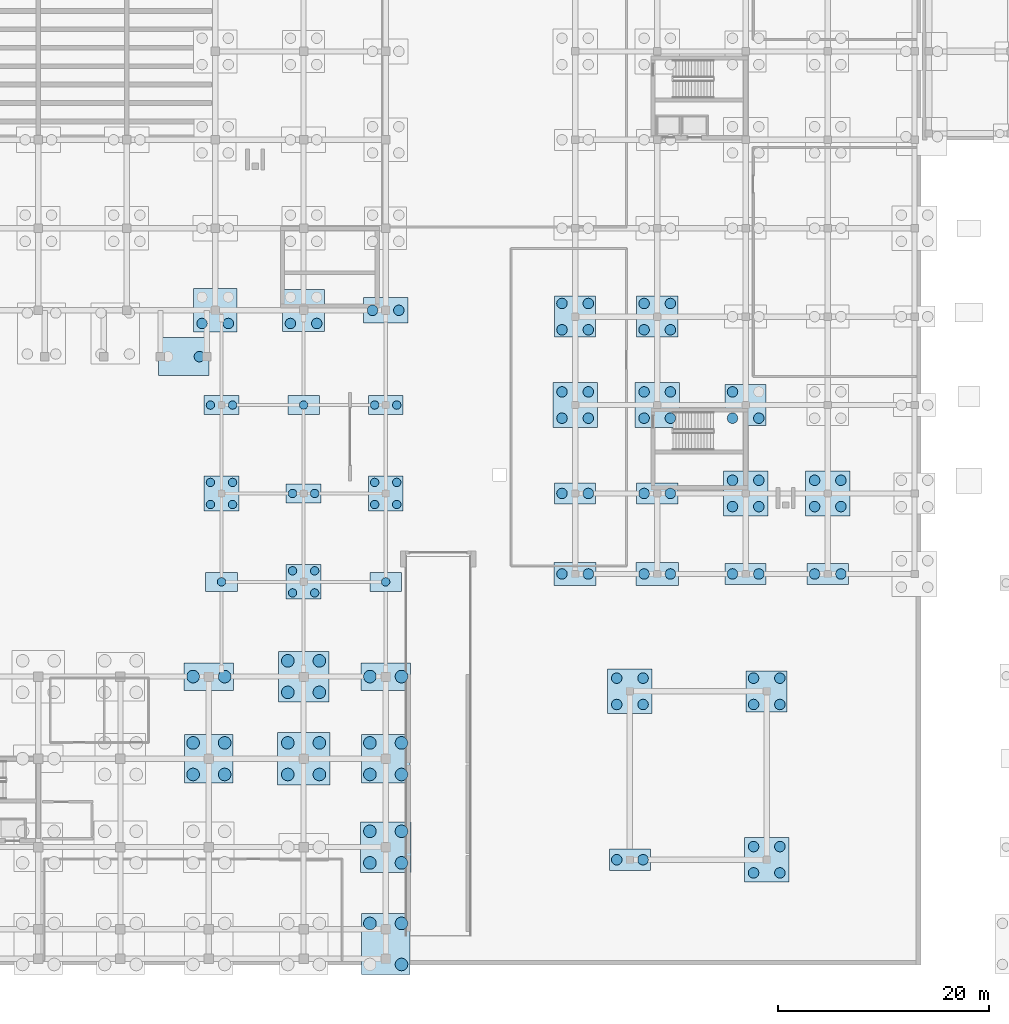
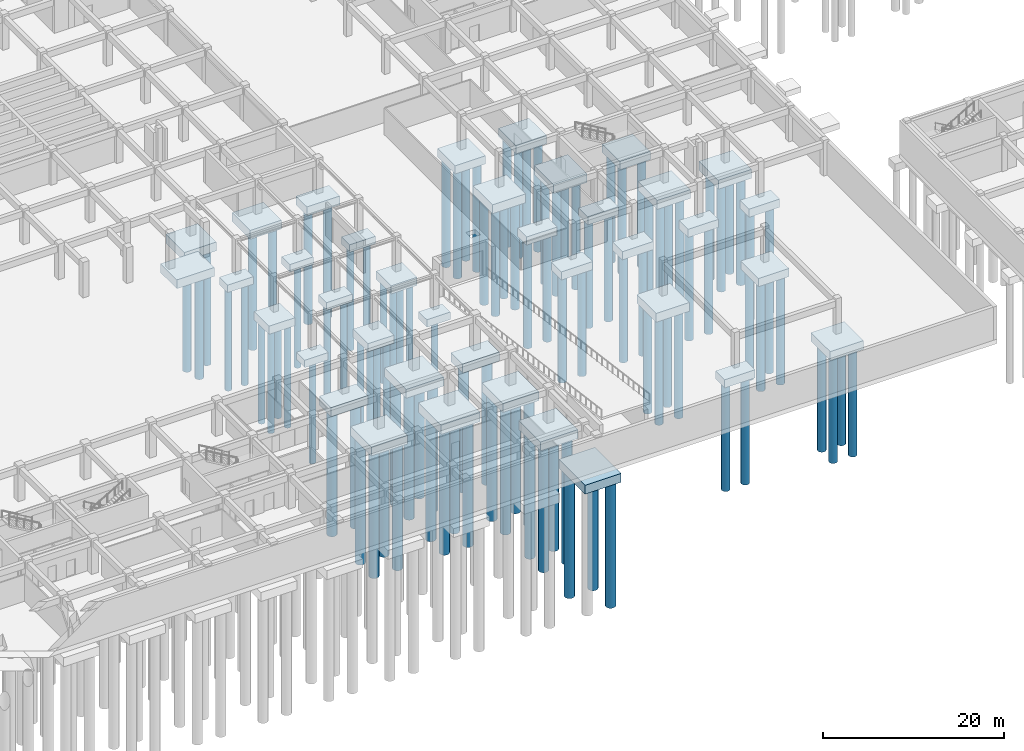
# One storey, part 2 of 35: 108 piles, 38 footings.
"""IFC4 building model written with IfcOpenShell, lengths in metres."""

from ifc_helpers import new_model, si_unit, direction, frame, origin, origin_2d, place, context, subcontext, project, spatial, rectangle, circle, extrude, material, material_profile, profile_set, type_object, element, save


model = new_model("IFC4")

# Units and contexts
model_context = context("Model", 3, precision=1e-05, world=origin(), true_north=direction((0.0, 1.0)))
body_context = subcontext(model_context, "Body", "Model", "MODEL_VIEW")
ifc_project = project(units=[si_unit("LENGTHUNIT", "METRE"), si_unit("AREAUNIT", "SQUARE_METRE"), si_unit("VOLUMEUNIT", "CUBIC_METRE"), si_unit("PLANEANGLEUNIT", "RADIAN"), si_unit("MASSUNIT", "GRAM", prefix="KILO")], contexts=[model_context])

# Site, building, storey
site_placement = place(None, origin())
site = spatial("IfcSite", under=ifc_project, at=site_placement, CompositionType="ELEMENT")
building_placement = place(site_placement, origin())
building = spatial("IfcBuilding", under=site, at=building_placement, Name="Zayran Congress Hotel", CompositionType="ELEMENT")
storey_placement = place(building_placement, frame((0.0, 0.0, -4.800048828125)))
storey = spatial("IfcBuildingStorey", under=building, at=storey_placement, Name="B1", CompositionType="ELEMENT", Elevation=-4.800048828125)

# Piles
ifc_material = material(Name="Concrete C40/50", Category="concrete")
ifc_material_profile_1 = material_profile(ifc_material, circle(Radius=0.60009765625, at=origin_2d()), Name="PILE D1200")
ifc_profile_set_1 = profile_set([ifc_material_profile_1], Name="Concrete C40/50")
pile_type_1 = type_object("IfcPileType", Name="TP-PL-1200", PredefinedType="BORED", material=ifc_profile_set_1)
for number, where, z_axis, x_axis, name in (
    (1, (73.5, 24.10009765625, -1.699951171875), (0.0, 0.0, -1.0), (1.0, 0.0, 0.0), "PIL-0317"),
    (2, (76.5, 24.10009765625, -1.699951171875), (0.0, 0.0, -1.0), (1.0, 0.0, 0.0), "PIL-0318"),
    (3, (73.5, 27.10009765625, -1.699951171875), (0.0, 0.0, -1.0), (1.0, 0.0, 0.0), "PIL-0319"),
    (4, (76.5, 27.10009765625, -1.699951171875), (0.0, 0.0, -1.0), (1.0, 0.0, 0.0), "PIL-0320"),
    (5, (73.5, 33.39990234375, -1.699951171875), (0.0, 0.0, -1.0), (1.0, 0.0, 0.0), "PIL-0321"),
    (6, (76.5, 33.39990234375, -1.699951171875), (0.0, 0.0, -1.0), (1.0, 0.0, 0.0), "PIL-0322"),
):
    element("IfcPile", number, at=place(storey_placement, frame(where, z_axis=z_axis, x_axis=x_axis)), inside=storey, type_object=pile_type_1, Name=name, PredefinedType="BORED", context=body_context, shape_type="SweptSolid", body=[
        extrude(circle(Radius=0.60009765625, at=origin_2d()), origin(), (0.0, 0.0, 1.0), 17.0),
    ])
for number, where, z_axis, x_axis, name in (
    (7, (82.5, 24.10009765625, -1.75), (0.0, 0.0, -1.0), (1.0, 0.0, 0.0), "PIL-0360"),
    (8, (85.5, 24.10009765625, -1.75), (0.0, 0.0, -1.0), (1.0, 0.0, 0.0), "PIL-0361"),
    (9, (82.5, 27.10009765625, -1.75), (0.0, 0.0, -1.0), (1.0, 0.0, 0.0), "PIL-0362"),
    (10, (85.5, 27.10009765625, -1.75), (0.0, 0.0, -1.0), (1.0, 0.0, 0.0), "PIL-0363"),
):
    element("IfcPile", number, at=place(storey_placement, frame(where, z_axis=z_axis, x_axis=x_axis)), inside=storey, type_object=pile_type_1, Name=name, PredefinedType="BORED", context=body_context, shape_type="SweptSolid", body=[
        extrude(circle(Radius=0.60009765625, at=origin_2d()), origin(), (0.0, 0.0, 1.0), 16.949951171875),
    ])
for number, where, z_axis, x_axis, name in (
    (11, (82.5, 31.89990234375, -1.699951171875), (0.0, 0.0, -1.0), (1.0, 0.0, 0.0), "PIL-0364"),
    (12, (85.5, 31.89990234375, -1.699951171875), (0.0, 0.0, -1.0), (1.0, 0.0, 0.0), "PIL-0365"),
    (13, (82.5, 34.89990234375, -1.699951171875), (0.0, 0.0, -1.0), (1.0, 0.0, 0.0), "PIL-0366"),
    (14, (85.5, 34.89990234375, -1.699951171875), (0.0, 0.0, -1.0), (1.0, 0.0, 0.0), "PIL-0367"),
    (15, (93.300048828125, 6.050048828125, -1.699951171875), (0.0, 0.0, -1.0), (1.0, 0.0, 0.0), "PIL-0400"),
    (16, (90.300048828125, 9.949951171875, -1.699951171875), (0.0, 0.0, -1.0), (1.0, 0.0, 0.0), "PIL-0401"),
    (17, (93.300048828125, 9.949951171875, -1.699951171875), (0.0, 0.0, -1.0), (1.0, 0.0, 0.0), "PIL-0402"),
    (18, (90.300048828125, 15.699951171875, -1.699951171875), (0.0, 0.0, -1.0), (1.0, 0.0, 0.0), "PIL-0403"),
    (19, (93.300048828125, 15.699951171875, -1.699951171875), (0.0, 0.0, -1.0), (1.0, 0.0, 0.0), "PIL-0404"),
    (20, (90.300048828125, 18.699951171875, -1.699951171875), (0.0, 0.0, -1.0), (1.0, 0.0, 0.0), "PIL-0405"),
    (21, (93.300048828125, 18.699951171875, -1.699951171875), (0.0, 0.0, -1.0), (1.0, 0.0, 0.0), "PIL-0406"),
    (22, (90.300048828125, 24.10009765625, -1.699951171875), (0.0, 0.0, -1.0), (1.0, 0.0, 0.0), "PIL-0407"),
    (23, (93.300048828125, 24.10009765625, -1.699951171875), (0.0, 0.0, -1.0), (1.0, 0.0, 0.0), "PIL-0408"),
    (24, (90.300048828125, 27.10009765625, -1.699951171875), (0.0, 0.0, -1.0), (1.0, 0.0, 0.0), "PIL-0409"),
    (25, (93.300048828125, 27.10009765625, -1.699951171875), (0.0, 0.0, -1.0), (1.0, 0.0, 0.0), "PIL-0410"),
    (26, (90.300048828125, 33.39990234375, -1.699951171875), (0.0, 0.0, -1.0), (1.0, 0.0, 0.0), "PIL-0411"),
    (27, (93.300048828125, 33.39990234375, -1.699951171875), (0.0, 0.0, -1.0), (1.0, 0.0, 0.0), "PIL-0412"),
):
    element("IfcPile", number, at=place(storey_placement, frame(where, z_axis=z_axis, x_axis=x_axis)), inside=storey, type_object=pile_type_1, Name=name, PredefinedType="BORED", context=body_context, shape_type="SweptSolid", body=[
        extrude(circle(Radius=0.60009765625, at=origin_2d()), origin(), (0.0, 0.0, 1.0), 17.0),
    ])
ifc_material_profile_2 = material_profile(ifc_material, circle(Radius=0.5, at=origin_2d()), Name="PILE D1000")
ifc_profile_set_2 = profile_set([ifc_material_profile_2], Name="Concrete C40/50")
pile_type_2 = type_object("IfcPileType", Name="TP-PL-1000", PredefinedType="BORED", material=ifc_profile_set_2)
pile_1_placement = place(storey_placement, frame((74.10009765625, 63.800048828125, -1.699951171875), z_axis=(0.0, 0.0, -1.0), x_axis=(1.0, 0.0, 0.0)))
element("IfcPile", 28, at=pile_1_placement, inside=storey, type_object=pile_type_2, Name="PIL-0308", PredefinedType="BORED", context=body_context, shape_type="SweptSolid", body=[
    extrude(circle(Radius=0.5, at=origin_2d()), origin(), (0.0, 0.0, 1.0), 14.5),
])
for number, where, z_axis, x_axis, name in (
    (29, (74.35009765625, 66.949951171875, -1.699951171875), (0.0, 0.0, -1.0), (1.0, 0.0, 0.0), "PIL-0323"),
    (30, (76.85009765625, 66.949951171875, -1.699951171875), (0.0, 0.0, -1.0), (1.0, 0.0, 0.0), "PIL-0324"),
    (31, (82.75, 66.949951171875, -1.699951171875), (0.0, 0.0, -1.0), (1.0, 0.0, 0.0), "PIL-0375"),
    (32, (85.25, 66.949951171875, -1.699951171875), (0.0, 0.0, -1.0), (1.0, 0.0, 0.0), "PIL-0376"),
    (33, (90.550048828125, 68.199951171875, -1.699951171875), (0.0, 0.0, -1.0), (1.0, 0.0, 0.0), "PIL-0420"),
    (34, (93.050048828125, 68.199951171875, -1.699951171875), (0.0, 0.0, -1.0), (1.0, 0.0, 0.0), "PIL-0421"),
):
    element("IfcPile", number, at=place(storey_placement, frame(where, z_axis=z_axis, x_axis=x_axis)), inside=storey, type_object=pile_type_2, Name=name, PredefinedType="BORED", context=body_context, shape_type="SweptSolid", body=[
        extrude(circle(Radius=0.5, at=origin_2d()), origin(), (0.0, 0.0, 1.0), 15.5),
    ])
for number, where, z_axis, x_axis, name in (
    (35, (108.550048828125, 43.14990234375, -1.599853515625), (0.0, 0.0, -1.0), (1.0, 0.0, 0.0), "PIL-0442"),
    (36, (111.050048828125, 43.14990234375, -1.599853515625), (0.0, 0.0, -1.0), (1.0, 0.0, 0.0), "PIL-0443"),
    (37, (108.550048828125, 50.800048828125, -1.599853515625), (0.0, 0.0, -1.0), (1.0, 0.0, 0.0), "PIL-0444"),
    (38, (111.050048828125, 50.800048828125, -1.599853515625), (0.0, 0.0, -1.0), (1.0, 0.0, 0.0), "PIL-0445"),
):
    element("IfcPile", number, at=place(storey_placement, frame(where, z_axis=z_axis, x_axis=x_axis)), inside=storey, type_object=pile_type_2, Name=name, PredefinedType="BORED", context=body_context, shape_type="SweptSolid", body=[
        extrude(circle(Radius=0.5, at=origin_2d()), origin(), (0.0, 0.0, 1.0), 14.60009765625),
    ])
for number, where, z_axis, x_axis, name in (
    (39, (108.550048828125, 57.949951171875, -1.699951171875), (0.0, 0.0, -1.0), (1.0, 0.0, 0.0), "PIL-0446"),
    (40, (111.050048828125, 57.949951171875, -1.699951171875), (0.0, 0.0, -1.0), (1.0, 0.0, 0.0), "PIL-0447"),
    (41, (108.550048828125, 60.449951171875, -1.699951171875), (0.0, 0.0, -1.0), (1.0, 0.0, 0.0), "PIL-0448"),
    (42, (111.050048828125, 60.449951171875, -1.699951171875), (0.0, 0.0, -1.0), (1.0, 0.0, 0.0), "PIL-0449"),
):
    element("IfcPile", number, at=place(storey_placement, frame(where, z_axis=z_axis, x_axis=x_axis)), inside=storey, type_object=pile_type_2, Name=name, PredefinedType="BORED", context=body_context, shape_type="SweptSolid", body=[
        extrude(circle(Radius=0.5, at=origin_2d()), origin(), (0.0, 0.0, 1.0), 14.5),
    ])
for number, where, z_axis, x_axis, name in (
    (43, (108.550048828125, 66.35009765625, -1.599853515625), (0.0, 0.0, -1.0), (1.0, 0.0, 0.0), "PIL-0450"),
    (44, (111.050048828125, 66.35009765625, -1.599853515625), (0.0, 0.0, -1.0), (1.0, 0.0, 0.0), "PIL-0451"),
    (45, (108.550048828125, 68.85009765625, -1.599853515625), (0.0, 0.0, -1.0), (1.0, 0.0, 0.0), "PIL-0452"),
    (46, (111.050048828125, 68.85009765625, -1.599853515625), (0.0, 0.0, -1.0), (1.0, 0.0, 0.0), "PIL-0453"),
    (47, (113.75, 16.0, -1.599853515625), (0.0, 0.0, -1.0), (1.0, 0.0, 0.0), "PIL-0468"),
    (48, (116.25, 16.0, -1.599853515625), (0.0, 0.0, -1.0), (1.0, 0.0, 0.0), "PIL-0469"),
):
    element("IfcPile", number, at=place(storey_placement, frame(where, z_axis=z_axis, x_axis=x_axis)), inside=storey, type_object=pile_type_2, Name=name, PredefinedType="BORED", context=body_context, shape_type="SweptSolid", body=[
        extrude(circle(Radius=0.5, at=origin_2d()), origin(), (0.0, 0.0, 1.0), 14.60009765625),
    ])
for number, where, z_axis, x_axis, name in (
    (49, (113.75, 30.75, -1.699951171875), (0.0, 0.0, -1.0), (1.0, 0.0, 0.0), "PIL-0470"),
    (50, (116.25, 30.75, -1.699951171875), (0.0, 0.0, -1.0), (1.0, 0.0, 0.0), "PIL-0471"),
    (51, (113.75, 33.25, -1.699951171875), (0.0, 0.0, -1.0), (1.0, 0.0, 0.0), "PIL-0472"),
    (52, (116.25, 33.25, -1.699951171875), (0.0, 0.0, -1.0), (1.0, 0.0, 0.0), "PIL-0473"),
):
    element("IfcPile", number, at=place(storey_placement, frame(where, z_axis=z_axis, x_axis=x_axis)), inside=storey, type_object=pile_type_2, Name=name, PredefinedType="BORED", context=body_context, shape_type="SweptSolid", body=[
        extrude(circle(Radius=0.5, at=origin_2d()), origin(), (0.0, 0.0, 1.0), 14.5),
    ])
for number, where, z_axis, x_axis, name in (
    (53, (116.35009765625, 43.14990234375, -1.599853515625), (0.0, 0.0, -1.0), (1.0, 0.0, 0.0), "PIL-0478"),
    (54, (118.85009765625, 43.14990234375, -1.599853515625), (0.0, 0.0, -1.0), (1.0, 0.0, 0.0), "PIL-0479"),
    (55, (116.35009765625, 50.800048828125, -1.599853515625), (0.0, 0.0, -1.0), (1.0, 0.0, 0.0), "PIL-0480"),
    (56, (118.85009765625, 50.800048828125, -1.599853515625), (0.0, 0.0, -1.0), (1.0, 0.0, 0.0), "PIL-0481"),
):
    element("IfcPile", number, at=place(storey_placement, frame(where, z_axis=z_axis, x_axis=x_axis)), inside=storey, type_object=pile_type_2, Name=name, PredefinedType="BORED", context=body_context, shape_type="SweptSolid", body=[
        extrude(circle(Radius=0.5, at=origin_2d()), origin(), (0.0, 0.0, 1.0), 14.60009765625),
    ])
for number, where, z_axis, x_axis, name in (
    (57, (116.35009765625, 57.949951171875, -1.699951171875), (0.0, 0.0, -1.0), (1.0, 0.0, 0.0), "PIL-0482"),
    (58, (118.85009765625, 57.949951171875, -1.699951171875), (0.0, 0.0, -1.0), (1.0, 0.0, 0.0), "PIL-0483"),
    (59, (116.35009765625, 60.449951171875, -1.699951171875), (0.0, 0.0, -1.0), (1.0, 0.0, 0.0), "PIL-0484"),
    (60, (118.85009765625, 60.449951171875, -1.699951171875), (0.0, 0.0, -1.0), (1.0, 0.0, 0.0), "PIL-0485"),
):
    element("IfcPile", number, at=place(storey_placement, frame(where, z_axis=z_axis, x_axis=x_axis)), inside=storey, type_object=pile_type_2, Name=name, PredefinedType="BORED", context=body_context, shape_type="SweptSolid", body=[
        extrude(circle(Radius=0.5, at=origin_2d()), origin(), (0.0, 0.0, 1.0), 14.5),
    ])
for number, where, z_axis, x_axis, name in (
    (61, (116.35009765625, 66.35009765625, -1.599853515625), (0.0, 0.0, -1.0), (1.0, 0.0, 0.0), "PIL-0486"),
    (62, (118.85009765625, 66.35009765625, -1.599853515625), (0.0, 0.0, -1.0), (1.0, 0.0, 0.0), "PIL-0487"),
    (63, (116.35009765625, 68.85009765625, -1.599853515625), (0.0, 0.0, -1.0), (1.0, 0.0, 0.0), "PIL-0488"),
    (64, (118.85009765625, 68.85009765625, -1.599853515625), (0.0, 0.0, -1.0), (1.0, 0.0, 0.0), "PIL-0489"),
    (65, (124.75, 43.14990234375, -1.599853515625), (0.0, 0.0, -1.0), (1.0, 0.0, 0.0), "PIL-0504"),
    (66, (127.25, 43.14990234375, -1.599853515625), (0.0, 0.0, -1.0), (1.0, 0.0, 0.0), "PIL-0505"),
):
    element("IfcPile", number, at=place(storey_placement, frame(where, z_axis=z_axis, x_axis=x_axis)), inside=storey, type_object=pile_type_2, Name=name, PredefinedType="BORED", context=body_context, shape_type="SweptSolid", body=[
        extrude(circle(Radius=0.5, at=origin_2d()), origin(), (0.0, 0.0, 1.0), 14.60009765625),
    ])
for number, where, z_axis, x_axis, name in (
    (67, (124.75, 49.550048828125, -1.699951171875), (0.0, 0.0, -1.0), (1.0, 0.0, 0.0), "PIL-0506"),
    (68, (127.25, 49.550048828125, -1.699951171875), (0.0, 0.0, -1.0), (1.0, 0.0, 0.0), "PIL-0507"),
    (69, (124.75, 52.050048828125, -1.699951171875), (0.0, 0.0, -1.0), (1.0, 0.0, 0.0), "PIL-0508"),
    (70, (127.25, 52.050048828125, -1.699951171875), (0.0, 0.0, -1.0), (1.0, 0.0, 0.0), "PIL-0509"),
):
    element("IfcPile", number, at=place(storey_placement, frame(where, z_axis=z_axis, x_axis=x_axis)), inside=storey, type_object=pile_type_2, Name=name, PredefinedType="BORED", context=body_context, shape_type="SweptSolid", body=[
        extrude(circle(Radius=0.5, at=origin_2d()), origin(), (0.0, 0.0, 1.0), 14.5),
    ])
for number, where, z_axis, x_axis, name in (
    (71, (124.75, 57.949951171875, -1.599853515625), (0.0, 0.0, -1.0), (1.0, 0.0, 0.0), "PIL-0510"),
    (72, (127.25, 57.949951171875, -1.599853515625), (0.0, 0.0, -1.0), (1.0, 0.0, 0.0), "PIL-0511"),
    (73, (124.75, 60.449951171875, -1.599853515625), (0.0, 0.0, -1.0), (1.0, 0.0, 0.0), "PIL-0512"),
):
    element("IfcPile", number, at=place(storey_placement, frame(where, z_axis=z_axis, x_axis=x_axis)), inside=storey, type_object=pile_type_2, Name=name, PredefinedType="BORED", context=body_context, shape_type="SweptSolid", body=[
        extrude(circle(Radius=0.5, at=origin_2d()), origin(), (0.0, 0.0, 1.0), 14.60009765625),
    ])
for number, where, z_axis, x_axis, name in (
    (74, (126.75, 14.75, -1.699951171875), (0.0, 0.0, -1.0), (1.0, 0.0, 0.0), "PIL-0530"),
    (75, (129.25, 14.75, -1.699951171875), (0.0, 0.0, -1.0), (1.0, 0.0, 0.0), "PIL-0531"),
    (76, (126.75, 17.25, -1.699951171875), (0.0, 0.0, -1.0), (1.0, 0.0, 0.0), "PIL-0532"),
    (77, (129.25, 17.25, -1.699951171875), (0.0, 0.0, -1.0), (1.0, 0.0, 0.0), "PIL-0533"),
):
    element("IfcPile", number, at=place(storey_placement, frame(where, z_axis=z_axis, x_axis=x_axis)), inside=storey, type_object=pile_type_2, Name=name, PredefinedType="BORED", context=body_context, shape_type="SweptSolid", body=[
        extrude(circle(Radius=0.5, at=origin_2d()), origin(), (0.0, 0.0, 1.0), 14.5),
    ])
for number, where, z_axis, x_axis, name in (
    (78, (126.75, 30.75, -1.599853515625), (0.0, 0.0, -1.0), (1.0, 0.0, 0.0), "PIL-0534"),
    (79, (129.25, 30.75, -1.599853515625), (0.0, 0.0, -1.0), (1.0, 0.0, 0.0), "PIL-0535"),
    (80, (126.75, 33.25, -1.599853515625), (0.0, 0.0, -1.0), (1.0, 0.0, 0.0), "PIL-0536"),
    (81, (129.25, 33.25, -1.599853515625), (0.0, 0.0, -1.0), (1.0, 0.0, 0.0), "PIL-0537"),
    (82, (132.550048828125, 43.14990234375, -1.599853515625), (0.0, 0.0, -1.0), (1.0, 0.0, 0.0), "PIL-0540"),
    (83, (135.050048828125, 43.14990234375, -1.599853515625), (0.0, 0.0, -1.0), (1.0, 0.0, 0.0), "PIL-0541"),
):
    element("IfcPile", number, at=place(storey_placement, frame(where, z_axis=z_axis, x_axis=x_axis)), inside=storey, type_object=pile_type_2, Name=name, PredefinedType="BORED", context=body_context, shape_type="SweptSolid", body=[
        extrude(circle(Radius=0.5, at=origin_2d()), origin(), (0.0, 0.0, 1.0), 14.60009765625),
    ])
for number, where, z_axis, x_axis, name in (
    (84, (132.550048828125, 49.550048828125, -1.699951171875), (0.0, 0.0, -1.0), (1.0, 0.0, 0.0), "PIL-0542"),
    (85, (135.050048828125, 49.550048828125, -1.699951171875), (0.0, 0.0, -1.0), (1.0, 0.0, 0.0), "PIL-0543"),
    (86, (132.550048828125, 52.050048828125, -1.699951171875), (0.0, 0.0, -1.0), (1.0, 0.0, 0.0), "PIL-0544"),
    (87, (135.050048828125, 52.050048828125, -1.699951171875), (0.0, 0.0, -1.0), (1.0, 0.0, 0.0), "PIL-0545"),
):
    element("IfcPile", number, at=place(storey_placement, frame(where, z_axis=z_axis, x_axis=x_axis)), inside=storey, type_object=pile_type_2, Name=name, PredefinedType="BORED", context=body_context, shape_type="SweptSolid", body=[
        extrude(circle(Radius=0.5, at=origin_2d()), origin(), (0.0, 0.0, 1.0), 14.5),
    ])
ifc_material_profile_3 = material_profile(ifc_material, circle(Radius=0.39990234375, at=origin_2d()), Name="PILE D800")
ifc_profile_set_3 = profile_set([ifc_material_profile_3], Name="Concrete C40/50")
pile_type_3 = type_object("IfcPileType", Name="TP-PL-800", PredefinedType="BORED", material=ifc_profile_set_3)
pile_2_placement = place(storey_placement, frame((76.199951171875, 42.39990234375, -1.5), z_axis=(0.0, 0.0, -1.0), x_axis=(1.0, 0.0, 0.0)))
element("IfcPile", 88, at=pile_2_placement, inside=storey, type_object=pile_type_3, Name="PIL-0347", PredefinedType="BORED", context=body_context, shape_type="SweptSolid", body=[
    extrude(circle(Radius=0.39990234375, at=origin_2d()), origin(), (0.0, 0.0, 1.0), 13.89990234375),
])
for number, where, z_axis, x_axis, name in (
    (89, (75.14990234375, 49.75, -1.599853515625), (0.0, 0.0, -1.0), (1.0, 0.0, 0.0), "PIL-0348"),
    (90, (77.25, 49.75, -1.599853515625), (0.0, 0.0, -1.0), (1.0, 0.0, 0.0), "PIL-0349"),
    (91, (75.14990234375, 51.85009765625, -1.599853515625), (0.0, 0.0, -1.0), (1.0, 0.0, 0.0), "PIL-0350"),
    (92, (77.25, 51.85009765625, -1.599853515625), (0.0, 0.0, -1.0), (1.0, 0.0, 0.0), "PIL-0351"),
):
    element("IfcPile", number, at=place(storey_placement, frame(where, z_axis=z_axis, x_axis=x_axis)), inside=storey, type_object=pile_type_3, Name=name, PredefinedType="BORED", context=body_context, shape_type="SweptSolid", body=[
        extrude(circle(Radius=0.39990234375, at=origin_2d()), origin(), (0.0, 0.0, 1.0), 13.800048828125),
    ])
for number, where, z_axis, x_axis, name in (
    (93, (75.14990234375, 59.199951171875, -1.5), (0.0, 0.0, -1.0), (1.0, 0.0, 0.0), "PIL-0352"),
    (94, (77.25, 59.199951171875, -1.5), (0.0, 0.0, -1.0), (1.0, 0.0, 0.0), "PIL-0353"),
):
    element("IfcPile", number, at=place(storey_placement, frame(where, z_axis=z_axis, x_axis=x_axis)), inside=storey, type_object=pile_type_3, Name=name, PredefinedType="BORED", context=body_context, shape_type="SweptSolid", body=[
        extrude(circle(Radius=0.39990234375, at=origin_2d()), origin(), (0.0, 0.0, 1.0), 13.89990234375),
    ])
for number, where, z_axis, x_axis, name in (
    (95, (82.949951171875, 41.35009765625, -1.599853515625), (0.0, 0.0, -1.0), (1.0, 0.0, 0.0), "PIL-0368"),
    (96, (85.050048828125, 41.35009765625, -1.599853515625), (0.0, 0.0, -1.0), (1.0, 0.0, 0.0), "PIL-0369"),
    (97, (82.949951171875, 43.449951171875, -1.599853515625), (0.0, 0.0, -1.0), (1.0, 0.0, 0.0), "PIL-0370"),
    (98, (85.050048828125, 43.449951171875, -1.599853515625), (0.0, 0.0, -1.0), (1.0, 0.0, 0.0), "PIL-0371"),
):
    element("IfcPile", number, at=place(storey_placement, frame(where, z_axis=z_axis, x_axis=x_axis)), inside=storey, type_object=pile_type_3, Name=name, PredefinedType="BORED", context=body_context, shape_type="SweptSolid", body=[
        extrude(circle(Radius=0.39990234375, at=origin_2d()), origin(), (0.0, 0.0, 1.0), 13.800048828125),
    ])
for number, where, z_axis, x_axis, name in (
    (99, (82.949951171875, 50.800048828125, -1.5), (0.0, 0.0, -1.0), (1.0, 0.0, 0.0), "PIL-0372"),
    (100, (85.050048828125, 50.800048828125, -1.5), (0.0, 0.0, -1.0), (1.0, 0.0, 0.0), "PIL-0373"),
    (101, (84.0, 59.199951171875, -1.5), (0.0, 0.0, -1.0), (1.0, 0.0, 0.0), "PIL-0374"),
    (102, (91.800048828125, 42.39990234375, -1.5), (0.0, 0.0, -1.0), (1.0, 0.0, 0.0), "PIL-0413"),
):
    element("IfcPile", number, at=place(storey_placement, frame(where, z_axis=z_axis, x_axis=x_axis)), inside=storey, type_object=pile_type_3, Name=name, PredefinedType="BORED", context=body_context, shape_type="SweptSolid", body=[
        extrude(circle(Radius=0.39990234375, at=origin_2d()), origin(), (0.0, 0.0, 1.0), 13.89990234375),
    ])
for number, where, z_axis, x_axis, name in (
    (103, (90.75, 49.75, -1.599853515625), (0.0, 0.0, -1.0), (1.0, 0.0, 0.0), "PIL-0414"),
    (104, (92.85009765625, 49.75, -1.599853515625), (0.0, 0.0, -1.0), (1.0, 0.0, 0.0), "PIL-0415"),
    (105, (90.75, 51.85009765625, -1.599853515625), (0.0, 0.0, -1.0), (1.0, 0.0, 0.0), "PIL-0416"),
    (106, (92.85009765625, 51.85009765625, -1.599853515625), (0.0, 0.0, -1.0), (1.0, 0.0, 0.0), "PIL-0417"),
):
    element("IfcPile", number, at=place(storey_placement, frame(where, z_axis=z_axis, x_axis=x_axis)), inside=storey, type_object=pile_type_3, Name=name, PredefinedType="BORED", context=body_context, shape_type="SweptSolid", body=[
        extrude(circle(Radius=0.39990234375, at=origin_2d()), origin(), (0.0, 0.0, 1.0), 13.800048828125),
    ])
for number, where, z_axis, x_axis, name in (
    (107, (90.75, 59.199951171875, -1.5), (0.0, 0.0, -1.0), (1.0, 0.0, 0.0), "PIL-0418"),
    (108, (92.85009765625, 59.199951171875, -1.5), (0.0, 0.0, -1.0), (1.0, 0.0, 0.0), "PIL-0419"),
):
    element("IfcPile", number, at=place(storey_placement, frame(where, z_axis=z_axis, x_axis=x_axis)), inside=storey, type_object=pile_type_3, Name=name, PredefinedType="BORED", context=body_context, shape_type="SweptSolid", body=[
        extrude(circle(Radius=0.39990234375, at=origin_2d()), origin(), (0.0, 0.0, 1.0), 13.89990234375),
    ])

# Footings
footing_type_1 = type_object("IfcFootingType", Name="TP-PC-01", PredefinedType="PILE_CAP", material=ifc_material)
footing_1_placement = place(storey_placement, frame((84.0, 25.60009765625, -1.849853515625), z_axis=(0.0, 0.0, 1.0), x_axis=(1.0, 0.0, 0.0)))
element("IfcFooting", 109, at=footing_1_placement, inside=storey, type_object=footing_type_1, Name="FTG-CAP-100", PredefinedType="PILE_CAP", context=body_context, shape_type="SweptSolid", body=[
    extrude(rectangle(XDim=5.0, YDim=5.0, at=origin_2d()), origin(), (0.0, 0.0, 1.0), 1.25),
])
footing_type_2 = type_object("IfcFootingType", Name="TP-PC-02", PredefinedType="PILE_CAP", material=ifc_material)
for number, where, z_axis, x_axis, name in (
    (110, (84.0, 33.39990234375, -1.7998046875), (0.0, 0.0, 1.0), (1.0, 0.0, 0.0), "FTG-CAP-101"),
    (111, (91.800048828125, 17.199951171875, -1.7998046875), (0.0, 0.0, 1.0), (1.0, 0.0, 0.0), "FTG-CAP-113"),
):
    element("IfcFooting", number, at=place(storey_placement, frame(where, z_axis=z_axis, x_axis=x_axis)), inside=storey, type_object=footing_type_2, Name=name, PredefinedType="PILE_CAP", context=body_context, shape_type="SweptSolid", body=[
        extrude(rectangle(XDim=4.800048828125, YDim=4.800048828125, at=origin_2d()), origin(), (0.0, 0.0, 1.0), 1.199951171875),
    ])
footing_type_3 = type_object("IfcFootingType", Name="TP-PC-03", PredefinedType="PILE_CAP", material=ifc_material)
for number, where, z_axis, x_axis, name in (
    (112, (75.0, 25.60009765625, -1.7998046875), (0.0, 0.0, 1.0), (1.0, 0.0, 0.0), "FTG-CAP-086"),
    (113, (91.800048828125, 25.60009765625, -1.7998046875), (0.0, 0.0, 1.0), (1.0, 0.0, 0.0), "FTG-CAP-114"),
):
    element("IfcFooting", number, at=place(storey_placement, frame(where, z_axis=z_axis, x_axis=x_axis)), inside=storey, type_object=footing_type_3, Name=name, PredefinedType="PILE_CAP", context=body_context, shape_type="SweptSolid", body=[
        extrude(rectangle(XDim=4.60009765625, YDim=4.60009765625, at=origin_2d()), origin(), (0.0, 0.0, 1.0), 1.199951171875),
    ])
footing_type_4 = type_object("IfcFootingType", Name="TP-PC-04", PredefinedType="PILE_CAP", material=ifc_material)
footing_2_placement = place(storey_placement, frame((84.0, 68.199951171875, -1.7998046875), z_axis=(0.0, 0.0, 1.0), x_axis=(1.0, 0.0, 0.0)))
element("IfcFooting", 114, at=footing_2_placement, inside=storey, type_object=footing_type_4, Name="FTG-CAP-105", PredefinedType="PILE_CAP", context=body_context, shape_type="SweptSolid", body=[
    extrude(rectangle(XDim=4.0, YDim=4.0, at=origin_2d()), origin(), (0.0, 0.0, 1.0), 1.199951171875),
])
footing_type_5 = type_object("IfcFootingType", Name="TP-PC-05", PredefinedType="PILE_CAP", material=ifc_material)
footing_3_placement = place(storey_placement, frame((75.60009765625, 68.199951171875, -1.7998046875), z_axis=(0.0, 0.0, 1.0), x_axis=(1.0, 0.0, 0.0)))
element("IfcFooting", 115, at=footing_3_placement, inside=storey, type_object=footing_type_5, Name="FTG-CAP-088", PredefinedType="PILE_CAP", context=body_context, shape_type="SweptSolid", body=[
    extrude(rectangle(XDim=4.10009765625, YDim=4.10009765625, at=origin_2d()), origin(), (0.0, 0.0, 1.0), 1.199951171875),
])
footing_type_6 = type_object("IfcFootingType", Name="TP-PC-06", PredefinedType="PILE_CAP", material=ifc_material)
for number, where, z_axis, x_axis, name in (
    (116, (109.800048828125, 59.199951171875, -1.7998046875), (0.0, 0.0, 1.0), (1.0, 0.0, 0.0), "FTG-CAP-128"),
    (117, (115.0, 32.0, -1.7998046875), (0.0, 0.0, 1.0), (1.0, 0.0, 0.0), "FTG-CAP-136"),
    (118, (117.60009765625, 59.199951171875, -1.7998046875), (0.0, 0.0, 1.0), (1.0, 0.0, 0.0), "FTG-CAP-140"),
    (119, (126.0, 50.800048828125, -1.7998046875), (0.0, 0.0, 1.0), (1.0, 0.0, 0.0), "FTG-CAP-148"),
    (120, (128.0, 16.0, -1.7998046875), (0.0, 0.0, 1.0), (1.0, 0.0, 0.0), "FTG-CAP-156"),
    (121, (133.800048828125, 50.800048828125, -1.7998046875), (0.0, 0.0, 1.0), (1.0, 0.0, 0.0), "FTG-CAP-160"),
):
    element("IfcFooting", number, at=place(storey_placement, frame(where, z_axis=z_axis, x_axis=x_axis)), inside=storey, type_object=footing_type_6, Name=name, PredefinedType="PILE_CAP", context=body_context, shape_type="SweptSolid", body=[
        extrude(rectangle(XDim=4.25, YDim=4.25, at=origin_2d()), origin(), (0.0, 0.0, 1.0), 1.199951171875),
    ])
footing_type_7 = type_object("IfcFootingType", Name="TP-PC-07", PredefinedType="PILE_CAP", material=ifc_material)
for number, where, z_axis, x_axis, name in (
    (122, (109.800048828125, 67.60009765625, -1.699951171875), (0.0, 0.0, 1.0), (1.0, 0.0, 0.0), "FTG-CAP-129"),
    (123, (117.60009765625, 67.60009765625, -1.699951171875), (0.0, 0.0, 1.0), (1.0, 0.0, 0.0), "FTG-CAP-141"),
    (124, (126.0, 59.199951171875, -1.699951171875), (0.0, 0.0, 1.0), (1.0, 0.0, 0.0), "FTG-CAP-149"),
    (125, (128.0, 32.0, -1.699951171875), (0.0, 0.0, 1.0), (1.0, 0.0, 0.0), "FTG-CAP-157"),
):
    element("IfcFooting", number, at=place(storey_placement, frame(where, z_axis=z_axis, x_axis=x_axis)), inside=storey, type_object=footing_type_7, Name=name, PredefinedType="PILE_CAP", context=body_context, shape_type="SweptSolid", body=[
        extrude(rectangle(XDim=3.89990234375, YDim=3.89990234375, at=origin_2d()), origin(), (0.0, 0.0, 1.0), 1.10009765625),
    ])
footing_type_8 = type_object("IfcFootingType", Name="TP-PC-08", PredefinedType="PILE_CAP", material=ifc_material)
for number, where, z_axis, x_axis, name in (
    (126, (76.199951171875, 50.800048828125, -1.699951171875), (0.0, 0.0, 1.0), (1.0, 0.0, 0.0), "FTG-CAP-096"),
    (127, (84.0, 42.39990234375, -1.699951171875), (0.0, 0.0, 1.0), (1.0, 0.0, 0.0), "FTG-CAP-102"),
    (128, (91.800048828125, 50.800048828125, -1.699951171875), (0.0, 0.0, 1.0), (1.0, 0.0, 0.0), "FTG-CAP-117"),
):
    element("IfcFooting", number, at=place(storey_placement, frame(where, z_axis=z_axis, x_axis=x_axis)), inside=storey, type_object=footing_type_8, Name=name, PredefinedType="PILE_CAP", context=body_context, shape_type="SweptSolid", body=[
        extrude(rectangle(XDim=3.300048828125, YDim=3.300048828125, at=origin_2d()), origin(), (0.0, 0.0, 1.0), 1.10009765625),
    ])
footing_type_9 = type_object("IfcFootingType", Name="TP-PC-09", PredefinedType="PILE_CAP", material=ifc_material)
for number, where, z_axis, x_axis, name in (
    (129, (75.0, 33.39990234375, -1.7998046875), (0.0, 0.0, 1.0), (1.0, 0.0, 0.0), "FTG-CAP-087"),
    (130, (91.800048828125, 33.39990234375, -1.7998046875), (0.0, 0.0, 1.0), (1.0, 0.0, 0.0), "FTG-CAP-115"),
):
    element("IfcFooting", number, at=place(storey_placement, frame(where, z_axis=z_axis, x_axis=x_axis)), inside=storey, type_object=footing_type_9, Name=name, PredefinedType="PILE_CAP", context=body_context, shape_type="SweptSolid", body=[
        extrude(rectangle(XDim=4.699951171875, YDim=2.60009765625, at=origin_2d()), origin(), (0.0, 0.0, 1.0), 1.199951171875),
    ])
footing_type_10 = type_object("IfcFootingType", Name="TP-PC-10", PredefinedType="PILE_CAP", material=ifc_material)
footing_4_placement = place(storey_placement, frame((91.800048828125, 68.199951171875, -1.7998046875), z_axis=(0.0, 0.0, 1.0), x_axis=(1.0, 0.0, 0.0)))
element("IfcFooting", 131, at=footing_4_placement, inside=storey, type_object=footing_type_10, Name="FTG-CAP-119", PredefinedType="PILE_CAP", context=body_context, shape_type="SweptSolid", body=[
    extrude(rectangle(XDim=4.199951171875, YDim=2.39990234375, at=origin_2d()), origin(), (0.0, 0.0, 1.0), 1.199951171875),
])
footing_type_11 = type_object("IfcFootingType", Name="TP-PC-11", PredefinedType="PILE_CAP", material=ifc_material)
for number, where, z_axis, x_axis, name in (
    (132, (109.800048828125, 43.14990234375, -1.699951171875), (0.0, 0.0, 1.0), (1.0, 0.0, 0.0), "FTG-CAP-126"),
    (133, (117.60009765625, 43.14990234375, -1.699951171875), (0.0, 0.0, 1.0), (1.0, 0.0, 0.0), "FTG-CAP-138"),
):
    element("IfcFooting", number, at=place(storey_placement, frame(where, z_axis=z_axis, x_axis=x_axis)), inside=storey, type_object=footing_type_11, Name=name, PredefinedType="PILE_CAP", context=body_context, shape_type="SweptSolid", body=[
        extrude(rectangle(XDim=4.0, YDim=2.199951171875, at=origin_2d()), origin(), (0.0, 0.0, 1.0), 1.10009765625),
    ])
footing_type_12 = type_object("IfcFootingType", Name="TP-PC-12", PredefinedType="PILE_CAP", material=ifc_material)
for number, where, z_axis, x_axis, name in (
    (134, (109.800048828125, 50.800048828125, -1.699951171875), (0.0, 0.0, 1.0), (1.0, 0.0, 0.0), "FTG-CAP-127"),
    (135, (115.0, 16.0, -1.699951171875), (0.0, 0.0, 1.0), (1.0, 0.0, 0.0), "FTG-CAP-135"),
    (136, (117.60009765625, 50.800048828125, -1.699951171875), (0.0, 0.0, 1.0), (1.0, 0.0, 0.0), "FTG-CAP-139"),
    (137, (126.0, 43.14990234375, -1.699951171875), (0.0, 0.0, 1.0), (1.0, 0.0, 0.0), "FTG-CAP-147"),
    (138, (133.800048828125, 43.14990234375, -1.699951171875), (0.0, 0.0, 1.0), (1.0, 0.0, 0.0), "FTG-CAP-159"),
):
    element("IfcFooting", number, at=place(storey_placement, frame(where, z_axis=z_axis, x_axis=x_axis)), inside=storey, type_object=footing_type_12, Name=name, PredefinedType="PILE_CAP", context=body_context, shape_type="SweptSolid", body=[
        extrude(rectangle(XDim=3.89990234375, YDim=2.0, at=origin_2d()), origin(), (0.0, 0.0, 1.0), 1.10009765625),
    ])
footing_type_13 = type_object("IfcFootingType", Name="TP-PC-13", PredefinedType="PILE_CAP", material=ifc_material)
for number, where, z_axis, x_axis, name in (
    (139, (76.199951171875, 59.199951171875, -1.599853515625), (0.0, 0.0, 1.0), (1.0, 0.0, 0.0), "FTG-CAP-097"),
    (140, (84.0, 50.800048828125, -1.599853515625), (0.0, 0.0, 1.0), (1.0, 0.0, 0.0), "FTG-CAP-103"),
    (141, (91.800048828125, 59.199951171875, -1.599853515625), (0.0, 0.0, 1.0), (1.0, 0.0, 0.0), "FTG-CAP-118"),
):
    element("IfcFooting", number, at=place(storey_placement, frame(where, z_axis=z_axis, x_axis=x_axis)), inside=storey, type_object=footing_type_13, Name=name, PredefinedType="PILE_CAP", context=body_context, shape_type="SweptSolid", body=[
        extrude(rectangle(XDim=3.300048828125, YDim=1.800048828125, at=origin_2d()), origin(), (0.0, 0.0, 1.0), 1.0),
    ])
footing_type_14 = type_object("IfcFootingType", Name="TP-PC-14", PredefinedType="PILE_CAP", material=ifc_material)
for number, where, z_axis, x_axis, name in (
    (142, (76.199951171875, 42.39990234375, -1.599853515625), (0.0, 0.0, 1.0), (1.0, 0.0, 0.0), "FTG-CAP-095"),
    (143, (84.0, 59.199951171875, -1.599853515625), (0.0, 0.0, 1.0), (1.0, 0.0, 0.0), "FTG-CAP-104"),
    (144, (91.800048828125, 42.39990234375, -1.599853515625), (0.0, 0.0, 1.0), (1.0, 0.0, 0.0), "FTG-CAP-116"),
):
    element("IfcFooting", number, at=place(storey_placement, frame(where, z_axis=z_axis, x_axis=x_axis)), inside=storey, type_object=footing_type_14, Name=name, PredefinedType="PILE_CAP", context=body_context, shape_type="SweptSolid", body=[
        extrude(rectangle(XDim=3.0, YDim=1.800048828125, at=origin_2d()), origin(), (0.0, 0.0, 1.0), 1.0),
    ])
footing_type_15 = type_object("IfcFootingType", Name="TP-PC-15", PredefinedType="PILE_CAP", material=ifc_material)
footing_5_placement = place(storey_placement, frame((91.800048828125, 8.0, -1.7998046875), z_axis=(0.0, 0.0, 1.0), x_axis=(1.0, 0.0, 0.0)))
element("IfcFooting", 145, at=footing_5_placement, inside=storey, type_object=footing_type_15, Name="FTG-CAP-112", PredefinedType="PILE_CAP", context=body_context, shape_type="SweptSolid", body=[
    extrude(rectangle(XDim=4.60009765625, YDim=5.800048828125, at=origin_2d()), origin(), (0.0, 0.0, 1.0), 1.199951171875),
])
footing_type_16 = type_object("IfcFootingType", Name="TP-PC-17-4800-3600-1200", PredefinedType="PILE_CAP", material=ifc_material)
footing_6_placement = place(storey_placement, frame((72.60009765625, 63.800048828125, -1.7998046875), z_axis=(0.0, 0.0, 1.0), x_axis=(1.0, 0.0, 0.0)))
element("IfcFooting", 146, at=footing_6_placement, inside=storey, type_object=footing_type_16, Name="FTG-CAP-083", PredefinedType="PILE_CAP", context=body_context, shape_type="SweptSolid", body=[
    extrude(rectangle(XDim=4.800048828125, YDim=3.60009765625, at=origin_2d()), origin(), (0.0, 0.0, 1.0), 1.199951171875),
])

save(model, "model.ifc")
